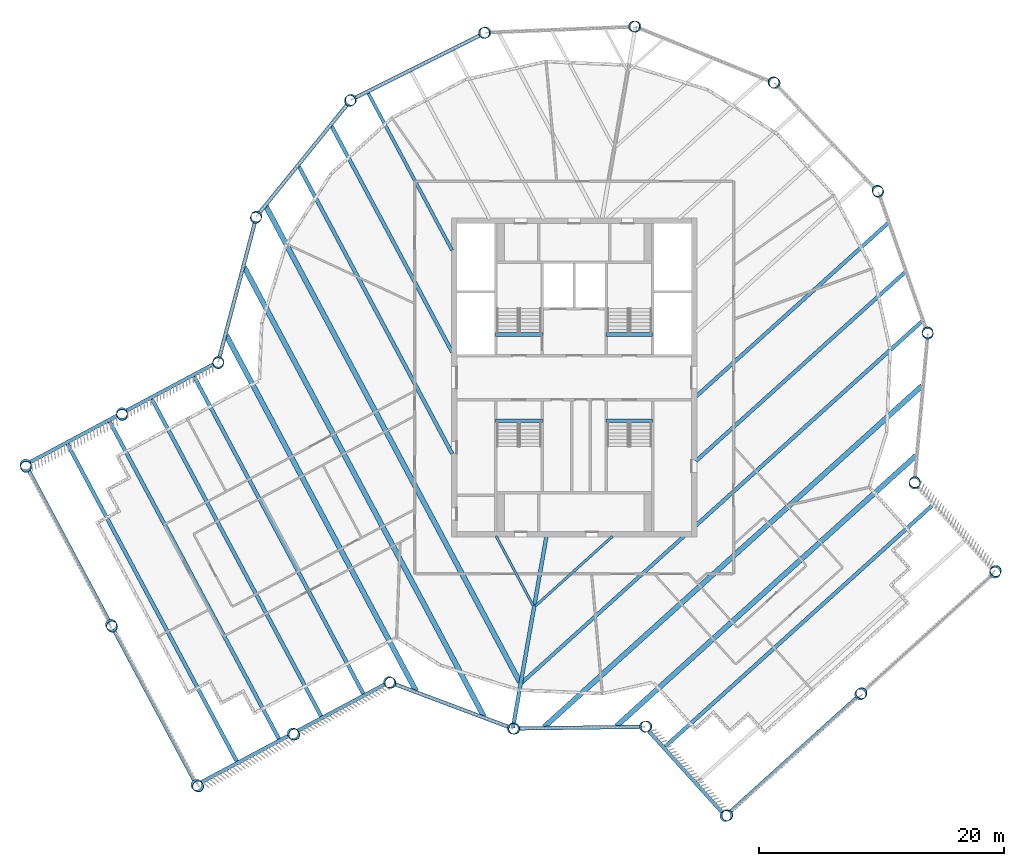
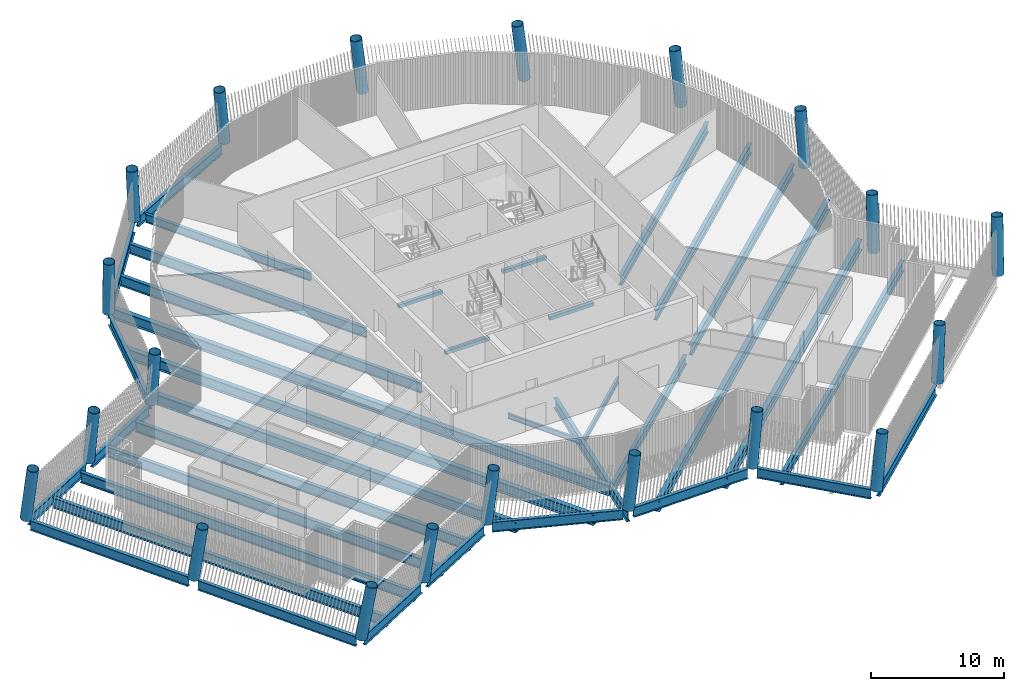
# One storey, part 1 of 21: 37 beams, 20 columns.
"""IFC4 building model written with IfcOpenShell, lengths in metres."""

from ifc_helpers import new_model, si_unit, direction, frame, origin, origin_2d, place, context, subcontext, project, spatial, rectangle, hollow_circle, i_section, extrude, material, material_profile, profile_set, type_object, element, save


model = new_model("IFC4")

# Units and contexts
model_context = context("Model", 3, precision=1e-05, world=origin(), true_north=direction((0.0, 1.0)))
body_context = subcontext(model_context, "Body", "Model", "MODEL_VIEW")
ifc_project = project(units=[si_unit("LENGTHUNIT", "METRE"), si_unit("AREAUNIT", "SQUARE_METRE"), si_unit("VOLUMEUNIT", "CUBIC_METRE"), si_unit("PLANEANGLEUNIT", "RADIAN"), si_unit("MASSUNIT", "GRAM", prefix="KILO")], contexts=[model_context])

# Site, building, storey
site_placement = place(None, origin())
site = spatial("IfcSite", under=ifc_project, at=site_placement, CompositionType="ELEMENT")
building_placement = place(site_placement, origin())
building = spatial("IfcBuilding", under=site, at=building_placement, Name="Tarsis Ring Headquarters", CompositionType="ELEMENT")
storey_placement = place(building_placement, frame((0.0, 0.0, 398.60009765625)))
storey = spatial("IfcBuildingStorey", under=building, at=storey_placement, Name="L94", CompositionType="ELEMENT", Elevation=398.60009765625)

# Columns
ifc_material_1 = material(Name="Structural steel S355", Category="steel")
ifc_material_profile_1 = material_profile(ifc_material_1, hollow_circle(Radius=0.45703125, WallThickness=0.0400390625, at=origin_2d()), Name="CHS 914x40")
ifc_profile_set_1 = profile_set([ifc_material_profile_1], Name="Structural steel S355")
column_type = type_object("IfcColumnType", Name="XC Exo column CHS 914x40", PredefinedType="COLUMN", material=ifc_profile_set_1)
column_1_placement = place(storey_placement, frame((-5.003662109375, -28.6142578125, 0.006591796875), z_axis=(0.103495078697, -0.017126845175, 0.994482498519), x_axis=(0.163264223702, 0.986582380371, 0.0)))
element("IfcColumn", 1, at=column_1_placement, inside=storey, type_object=column_type, Name="Exo column XC8 F1", PredefinedType="COLUMN", context=body_context, shape_type="SweptSolid", body=[
    extrude(hollow_circle(Radius=0.457275390625, WallThickness=0.0400390625, at=origin_2d()), origin(), (0.0, 0.0, 1.0), 4.9892578125),
])
column_2_placement = place(storey_placement, frame((5.76708984375, -28.47021484375, 0.006591796875), z_axis=(0.102599435782, 0.021723485688, 0.994485518219), x_axis=(-0.207138923736, 0.978311538455, 0.0)))
element("IfcColumn", 2, at=column_2_placement, inside=storey, type_object=column_type, Name="Exo column XC8 AK", PredefinedType="COLUMN", context=body_context, shape_type="SweptSolid", body=[
    extrude(hollow_circle(Radius=0.457275390625, WallThickness=0.0400390625, at=origin_2d()), origin(), (0.0, 0.0, 1.0), 4.989990234375),
])
column_3_placement = place(storey_placement, frame((12.338134765625, -35.7470703125, 0.00830078125), z_axis=(0.128165364878, 0.045553632545, 0.990706064283), x_axis=(-0.334903443041, 0.942252452286, 0.0)))
element("IfcColumn", 3, at=column_3_placement, inside=storey, type_object=column_type, Name="Exo column XC8 AT1", PredefinedType="COLUMN", context=body_context, shape_type="SweptSolid", body=[
    extrude(hollow_circle(Radius=0.457275390625, WallThickness=0.0400390625, at=origin_2d()), origin(), (0.0, 0.0, 1.0), 5.000244140625),
])
column_4_placement = place(storey_placement, frame((23.322509765625, -25.828125, 0.0078125), z_axis=(0.092295283757, 0.084811882372, 0.992113161492), x_axis=(-0.676625289343, 0.736327520755, 0.0)))
element("IfcColumn", 4, at=column_4_placement, inside=storey, type_object=column_type, Name="Exo column XC8 AT2", PredefinedType="COLUMN", context=body_context, shape_type="SweptSolid", body=[
    extrude(hollow_circle(Radius=0.457275390625, WallThickness=0.0400390625, at=origin_2d()), origin(), (0.0, 0.0, 1.0), 4.991455078125),
])
column_5_placement = place(storey_placement, frame((34.30712890625, -15.909423828125, 0.00830078125), z_axis=(0.056094348943, 0.123905533174, 0.990707243774), x_axis=(-0.910992350257, 0.412423250767, 0.0)))
element("IfcColumn", 5, at=column_5_placement, inside=storey, type_object=column_type, Name="Exo column XC8 AT3", PredefinedType="COLUMN", context=body_context, shape_type="SweptSolid", body=[
    extrude(hollow_circle(Radius=0.457275390625, WallThickness=0.0400390625, at=origin_2d()), origin(), (0.0, 0.0, 1.0), 5.000732421875),
])
column_6_placement = place(storey_placement, frame((27.736083984375, -8.6328125, 0.006591796875), z_axis=(0.030278180038, 0.100421815213, 0.994484133027), x_axis=(-0.957427467423, 0.288673941712, 0.0)))
element("IfcColumn", 6, at=column_6_placement, inside=storey, type_object=column_type, Name="Exo column XC8 AJ", PredefinedType="COLUMN", context=body_context, shape_type="SweptSolid", body=[
    extrude(hollow_circle(Radius=0.457275390625, WallThickness=0.0400390625, at=origin_2d()), origin(), (0.0, 0.0, 1.0), 4.9912109375),
])
column_7_placement = place(storey_placement, frame((28.82861328125, 3.567138671875, 0.006591796875), z_axis=(-0.013800696534, 0.103994610406, 0.994482107321), x_axis=(-0.991309196733, -0.131552561637, 0.0)))
element("IfcColumn", 7, at=column_7_placement, inside=storey, type_object=column_type, Name="Exo column XC8 R1", PredefinedType="COLUMN", context=body_context, shape_type="SweptSolid", body=[
    extrude(hollow_circle(Radius=0.457275390625, WallThickness=0.0400390625, at=origin_2d()), origin(), (0.0, 0.0, 1.0), 4.98876953125),
])
column_8_placement = place(storey_placement, frame((24.79541015625, 15.133056640625, 0.006591796875), z_axis=(-0.055480245767, 0.08899344537, 0.994485851589), x_axis=(-0.848600562737, -0.529034105632, 0.0)))
element("IfcColumn", 8, at=column_8_placement, inside=storey, type_object=column_type, Name="Exo column XC8 R2", PredefinedType="COLUMN", context=body_context, shape_type="SweptSolid", body=[
    extrude(hollow_circle(Radius=0.457275390625, WallThickness=0.0400390625, at=origin_2d()), origin(), (0.0, 0.0, 1.0), 4.990234375),
])
column_9_placement = place(storey_placement, frame((16.353271484375, 24.008056640625, 0.006591796875), z_axis=(-0.087192050723, 0.058225892458, 0.994488457318), x_axis=(-0.555346197768, -0.831619264221, 0.0)))
element("IfcColumn", 9, at=column_9_placement, inside=storey, type_object=column_type, Name="Exo column XC8 R3", PredefinedType="COLUMN", context=body_context, shape_type="SweptSolid", body=[
    extrude(hollow_circle(Radius=0.457275390625, WallThickness=0.0400390625, at=origin_2d()), origin(), (0.0, 0.0, 1.0), 4.98974609375),
])
column_10_placement = place(storey_placement, frame((5.003662109375, 28.6142578125, 0.006591796875), z_axis=(-0.103495078697, 0.017126845175, 0.994482498519), x_axis=(-0.163264223702, -0.986582380371, 0.0)))
element("IfcColumn", 10, at=column_10_placement, inside=storey, type_object=column_type, Name="Exo column XC8 R4", PredefinedType="COLUMN", context=body_context, shape_type="SweptSolid", body=[
    extrude(hollow_circle(Radius=0.457275390625, WallThickness=0.0400390625, at=origin_2d()), origin(), (0.0, 0.0, 1.0), 4.9892578125),
])
column_11_placement = place(storey_placement, frame((-7.23583984375, 28.1328125, 0.006591796875), z_axis=(-0.10131264806, -0.027003660902, 0.994488084213), x_axis=(0.25754649026, -0.966265908203, 0.0)))
element("IfcColumn", 11, at=column_11_placement, inside=storey, type_object=column_type, Name="Exo column XC8 R5", PredefinedType="COLUMN", context=body_context, shape_type="SweptSolid", body=[
    extrude(hollow_circle(Radius=0.457275390625, WallThickness=0.0400390625, at=origin_2d()), origin(), (0.0, 0.0, 1.0), 4.99072265625),
])
column_12_placement = place(storey_placement, frame((-18.188720703125, 22.649169921875, 0.006591796875), z_axis=(-0.081148888172, -0.066367848227, 0.994489902749), x_axis=(0.633085233982, -0.774082092878, 0.0)))
element("IfcColumn", 12, at=column_12_placement, inside=storey, type_object=column_type, Name="Exo column XC8 R6", PredefinedType="COLUMN", context=body_context, shape_type="SweptSolid", body=[
    extrude(hollow_circle(Radius=0.457275390625, WallThickness=0.0400390625, at=origin_2d()), origin(), (0.0, 0.0, 1.0), 4.98828125),
])
column_13_placement = place(storey_placement, frame((-25.907470703125, 13.138671875, 0.006591796875), z_axis=(-0.046564579025, -0.093960668389, 0.99448636631), x_axis=(0.896007421265, -0.444039076025, 0.0)))
element("IfcColumn", 13, at=column_13_placement, inside=storey, type_object=column_type, Name="Exo column XC8 R7", PredefinedType="COLUMN", context=body_context, shape_type="SweptSolid", body=[
    extrude(hollow_circle(Radius=0.457275390625, WallThickness=0.0400390625, at=origin_2d()), origin(), (0.0, 0.0, 1.0), 4.991455078125),
])
column_14_placement = place(storey_placement, frame((-29.019775390625, 1.291748046875, 0.006591796875), z_axis=(-0.003720447542, -0.104808923516, 0.994485418607), x_axis=(0.999370560982, -0.035475087639, 0.0)))
element("IfcColumn", 14, at=column_14_placement, inside=storey, type_object=column_type, Name="Exo column XC8 BJ", PredefinedType="COLUMN", context=body_context, shape_type="SweptSolid", body=[
    extrude(hollow_circle(Radius=0.457275390625, WallThickness=0.0400390625, at=origin_2d()), origin(), (0.0, 0.0, 1.0), 4.9873046875),
])
column_15_placement = place(storey_placement, frame((-36.8740234375, -2.89892578125, 0.008056640625), z_axis=(0.011632979606, -0.132606191896, 0.991100535595), x_axis=(0.996174163169, 0.087390140374, 0.0)))
element("IfcColumn", 15, at=column_15_placement, inside=storey, type_object=column_type, Name="Exo column XC8 BO1", PredefinedType="COLUMN", context=body_context, shape_type="SweptSolid", body=[
    extrude(hollow_circle(Radius=0.457275390625, WallThickness=0.0400390625, at=origin_2d()), origin(), (0.0, 0.0, 1.0), 4.994873046875),
])
column_16_placement = place(storey_placement, frame((-44.728271484375, -7.08984375, 0.009765625), z_axis=(0.02686133297, -0.159997994204, 0.986751797891), x_axis=(0.986198320094, 0.165568334665, 0.0)))
element("IfcColumn", 16, at=column_16_placement, inside=storey, type_object=column_type, Name="Exo column XC8 BT3", PredefinedType="COLUMN", context=body_context, shape_type="SweptSolid", body=[
    extrude(hollow_circle(Radius=0.457275390625, WallThickness=0.0400390625, at=origin_2d()), origin(), (0.0, 0.0, 1.0), 5.008056640625),
])
column_17_placement = place(storey_placement, frame((-37.761474609375, -20.1474609375, 0.00927734375), z_axis=(0.073535305639, -0.134782218027, 0.988142860384), x_axis=(0.877847018049, 0.478941137199, 0.0)))
element("IfcColumn", 17, at=column_17_placement, inside=storey, type_object=column_type, Name="Exo column XC8 BT2", PredefinedType="COLUMN", context=body_context, shape_type="SweptSolid", body=[
    extrude(hollow_circle(Radius=0.457275390625, WallThickness=0.0400390625, at=origin_2d()), origin(), (0.0, 0.0, 1.0), 5.006591796875),
])
column_18_placement = place(storey_placement, frame((-30.79443359375, -33.205078125, 0.009765625), z_axis=(0.119941632984, -0.109259559937, 0.986750400679), x_axis=(0.673420634813, 0.739259527235, 0.0)))
element("IfcColumn", 18, at=column_18_placement, inside=storey, type_object=column_type, Name="Exo column XC8 BT1", PredefinedType="COLUMN", context=body_context, shape_type="SweptSolid", body=[
    extrude(hollow_circle(Radius=0.457275390625, WallThickness=0.0400390625, at=origin_2d()), origin(), (0.0, 0.0, 1.0), 5.00537109375),
])
column_19_placement = place(storey_placement, frame((-22.9404296875, -29.014404296875, 0.008056640625), z_axis=(0.105122025672, -0.081566090584, 0.991108638135), x_axis=(0.613024774436, 0.790063684729, 0.0)))
element("IfcColumn", 19, at=column_19_placement, inside=storey, type_object=column_type, Name="Exo column XC8 BI1", PredefinedType="COLUMN", context=body_context, shape_type="SweptSolid", body=[
    extrude(hollow_circle(Radius=0.457275390625, WallThickness=0.0400390625, at=origin_2d()), origin(), (0.0, 0.0, 1.0), 4.99560546875),
])
column_20_placement = place(storey_placement, frame((-15.08642578125, -24.82373046875, 0.006591796875), z_axis=(0.09011414303, -0.053667326223, 0.994484418843), x_axis=(0.511680651635, 0.859175715871, 0.0)))
element("IfcColumn", 20, at=column_20_placement, inside=storey, type_object=column_type, Name="Exo column XC8 BK", PredefinedType="COLUMN", context=body_context, shape_type="SweptSolid", body=[
    extrude(hollow_circle(Radius=0.457275390625, WallThickness=0.0400390625, at=origin_2d()), origin(), (0.0, 0.0, 1.0), 4.990478515625),
])

# Beams
ifc_material_profile_2 = material_profile(ifc_material_1, i_section(OverallWidth=0.1904296875, OverallDepth=0.457275390625, WebThickness=0.009033203125, FlangeThickness=0.014404296875, at=origin_2d()), Name="W18x50")
ifc_profile_set_2 = profile_set([ifc_material_profile_2], Name="Structural steel S355")
beam_type_1 = type_object("IfcBeamType", Name="FB Floor beam W18x50", PredefinedType="JOIST", material=ifc_profile_set_2)
beam_1_placement = place(storey_placement, frame((-6.37255859375, -12.911865234375, -0.52880859375), z_axis=(0.470730094515, -0.882277268277, 0.0), x_axis=(0.882277268277, 0.470730094515, 0.0)))
element("IfcBeam", 21, at=beam_1_placement, inside=storey, type_object=beam_type_1, Name="Floor beam FB2", PredefinedType="JOIST", context=body_context, shape_type="SweptSolid", body=[
    extrude(i_section(OverallWidth=0.1904296875, OverallDepth=0.457275390625, WebThickness=0.009033203125, FlangeThickness=0.014404296875, at=origin_2d()), origin(), (0.0, 0.0, 1.0), 6.43115234375),
])
ifc_material_profile_3 = material_profile(ifc_material_1, i_section(OverallWidth=0.209228515625, OverallDepth=0.533447265625, WebThickness=0.01025390625, FlangeThickness=0.015625, at=origin_2d()), Name="W21x62")
ifc_profile_set_3 = profile_set([ifc_material_profile_3], Name="Structural steel S355")
beam_type_2 = type_object("IfcBeamType", Name="FB Floor beam W21x62", PredefinedType="JOIST", material=ifc_profile_set_3)
beam_2_placement = place(storey_placement, frame((-3.161376953125, -18.6181640625, -0.56689453125), z_axis=(0.742205611022, 0.670172239777, 0.0), x_axis=(-0.670172239777, 0.742205611022, 0.0)))
element("IfcBeam", 22, at=beam_2_placement, inside=storey, type_object=beam_type_2, Name="Floor beam FB3", PredefinedType="JOIST", context=body_context, shape_type="SweptSolid", body=[
    extrude(i_section(OverallWidth=0.209228515625, OverallDepth=0.533447265625, WebThickness=0.01025390625, FlangeThickness=0.015625, at=origin_2d()), origin(), (0.0, 0.0, 1.0), 8.4833984375),
])
ifc_material_profile_4 = material_profile(ifc_material_1, i_section(OverallWidth=0.2666015625, OverallDepth=0.7568359375, WebThickness=0.013916015625, FlangeThickness=0.019287109375, at=origin_2d()), Name="W30x108")
ifc_profile_set_4 = profile_set([ifc_material_profile_4], Name="Structural steel S355")
beam_type_3 = type_object("IfcBeamType", Name="FB Floor beam W30x108", PredefinedType="JOIST", material=ifc_profile_set_4)
beam_3_placement = place(storey_placement, frame((-16.834228515625, 23.268798828125, -0.678466796875), z_axis=(0.470704379557, -0.882290987751, 0.0), x_axis=(0.882290987751, 0.470704379557, 0.0)))
element("IfcBeam", 23, at=beam_3_placement, inside=storey, type_object=beam_type_3, Name="Floor beam FB6", PredefinedType="JOIST", context=body_context, shape_type="SweptSolid", body=[
    extrude(i_section(OverallWidth=0.2666015625, OverallDepth=0.7568359375, WebThickness=0.013916015625, FlangeThickness=0.019287109375, at=origin_2d()), origin(), (0.0, 0.0, 1.0), 14.619140625),
])
ifc_material_profile_5 = material_profile(ifc_material_1, i_section(OverallWidth=0.2919921875, OverallDepth=0.835693359375, WebThickness=0.013916015625, FlangeThickness=0.018798828125, at=origin_2d()), Name="W33x118")
ifc_profile_set_5 = profile_set([ifc_material_profile_5], Name="Structural steel S355")
beam_type_4 = type_object("IfcBeamType", Name="FB Floor beam W33x118", PredefinedType="JOIST", material=ifc_profile_set_5)
beam_4_placement = place(storey_placement, frame((-4.252685546875, -24.858154296875, -0.718017578125), z_axis=(0.742210506101, 0.670166818511, 0.0), x_axis=(-0.670166818511, 0.742210506101, 0.0)))
element("IfcBeam", 24, at=beam_4_placement, inside=storey, type_object=beam_type_4, Name="Floor beam FB7", PredefinedType="JOIST", context=body_context, shape_type="SweptSolid", body=[
    extrude(i_section(OverallWidth=0.2919921875, OverallDepth=0.835693359375, WebThickness=0.013916015625, FlangeThickness=0.018798828125, at=origin_2d()), origin(), (0.0, 0.0, 1.0), 17.79443359375),
])
ifc_material_profile_6 = material_profile(ifc_material_1, i_section(OverallWidth=0.3046875, OverallDepth=0.904296875, WebThickness=0.01513671875, FlangeThickness=0.02001953125, at=origin_2d()), Name="W36x135")
ifc_profile_set_6 = profile_set([ifc_material_profile_6], Name="Structural steel S355")
beam_type_5 = type_object("IfcBeamType", Name="FB Floor beam W36x135", PredefinedType="JOIST", material=ifc_profile_set_6)
beam_5_placement = place(storey_placement, frame((9.92578125, -1.546875, -0.752197265625), z_axis=(0.742212009249, 0.67016515377, 0.0), x_axis=(-0.67016515377, 0.742212009249, 0.0)))
element("IfcBeam", 25, at=beam_5_placement, inside=storey, type_object=beam_type_5, Name="Floor beam FB8", PredefinedType="JOIST", context=body_context, shape_type="SweptSolid", body=[
    extrude(i_section(OverallWidth=0.3046875, OverallDepth=0.904296875, WebThickness=0.01513671875, FlangeThickness=0.02001953125, at=origin_2d()), origin(), (0.0, 0.0, 1.0), 21.131591796875),
])
beam_6_placement = place(storey_placement, frame((-19.808349609375, 20.557861328125, -0.752197265625), z_axis=(0.470709273658, -0.882288376718, 0.0), x_axis=(0.882288376718, 0.470709273658, 0.0)))
element("IfcBeam", 26, at=beam_6_placement, inside=storey, type_object=beam_type_5, Name="Floor beam FB8", PredefinedType="JOIST", context=body_context, shape_type="SweptSolid", body=[
    extrude(i_section(OverallWidth=0.3046875, OverallDepth=0.904296875, WebThickness=0.01513671875, FlangeThickness=0.02001953125, at=origin_2d()), origin(), (0.0, 0.0, 1.0), 20.9375),
])
ifc_material_profile_7 = material_profile(ifc_material_1, i_section(OverallWidth=0.3046875, OverallDepth=0.91943359375, WebThickness=0.017333984375, FlangeThickness=0.02783203125, at=origin_2d()), Name="W36x170")
ifc_profile_set_7 = profile_set([ifc_material_profile_7], Name="Structural steel S355")
beam_type_6 = type_object("IfcBeamType", Name="FB Floor beam W36x170", PredefinedType="JOIST", material=ifc_profile_set_7)
beam_7_placement = place(storey_placement, frame((9.92578125, -6.801513671875, -0.759765625), z_axis=(0.742211596833, 0.670165610522, 0.0), x_axis=(-0.670165610522, 0.742211596833, 0.0)))
element("IfcBeam", 27, at=beam_7_placement, inside=storey, type_object=beam_type_6, Name="Floor beam FB9", PredefinedType="JOIST", context=body_context, shape_type="SweptSolid", body=[
    extrude(i_section(OverallWidth=0.3046875, OverallDepth=0.91943359375, WebThickness=0.017333984375, FlangeThickness=0.02783203125, at=origin_2d()), origin(), (0.0, 0.0, 1.0), 23.009033203125),
])
ifc_material_profile_8 = material_profile(ifc_material_1, i_section(OverallWidth=0.309814453125, OverallDepth=0.93212890625, WebThickness=0.02099609375, FlangeThickness=0.034423828125, at=origin_2d()), Name="W36x210")
ifc_profile_set_8 = profile_set([ifc_material_profile_8], Name="Structural steel S355")
beam_type_7 = type_object("IfcBeamType", Name="FB Floor beam W36x210", PredefinedType="JOIST", material=ifc_profile_set_8)
beam_8_placement = place(storey_placement, frame((9.92578125, -12.055908203125, -0.76611328125), z_axis=(0.742211720307, 0.670165473774, 0.0), x_axis=(-0.670165473774, 0.742211720307, 0.0)))
element("IfcBeam", 28, at=beam_8_placement, inside=storey, type_object=beam_type_7, Name="Floor beam FB10", PredefinedType="JOIST", context=body_context, shape_type="SweptSolid", body=[
    extrude(i_section(OverallWidth=0.309814453125, OverallDepth=0.93212890625, WebThickness=0.02099609375, FlangeThickness=0.034423828125, at=origin_2d()), origin(), (0.0, 0.0, 1.0), 24.886474609375),
])
beam_9_placement = place(storey_placement, frame((-22.475341796875, 17.271728515625, -0.76611328125), z_axis=(0.470704451491, -0.882290949373, 0.0), x_axis=(0.882290949373, 0.470704451491, 0.0)))
element("IfcBeam", 29, at=beam_9_placement, inside=storey, type_object=beam_type_7, Name="Floor beam FB10", PredefinedType="JOIST", context=body_context, shape_type="SweptSolid", body=[
    extrude(i_section(OverallWidth=0.309814453125, OverallDepth=0.93212890625, WebThickness=0.02099609375, FlangeThickness=0.034423828125, at=origin_2d()), origin(), (0.0, 0.0, 1.0), 26.603759765625),
])
ifc_material_profile_9 = material_profile(ifc_material_1, i_section(OverallWidth=0.309814453125, OverallDepth=0.949951171875, WebThickness=0.0244140625, FlangeThickness=0.0439453125, at=origin_2d()), Name="W36x256")
ifc_profile_set_9 = profile_set([ifc_material_profile_9], Name="Structural steel S355")
beam_type_8 = type_object("IfcBeamType", Name="FB Floor beam W36x256", PredefinedType="JOIST", material=ifc_profile_set_9)
beam_10_placement = place(storey_placement, frame((7.349853515625, -30.145751953125, -0.775146484375), z_axis=(0.74220742551, 0.670170230254, 0.0), x_axis=(-0.670170230254, 0.74220742551, 0.0)))
element("IfcBeam", 30, at=beam_10_placement, inside=storey, type_object=beam_type_8, Name="Floor beam FB11", PredefinedType="JOIST", context=body_context, shape_type="SweptSolid", body=[
    extrude(i_section(OverallWidth=0.309814453125, OverallDepth=0.949951171875, WebThickness=0.0244140625, FlangeThickness=0.0439453125, at=origin_2d()), origin(), (0.0, 0.0, 1.0), 29.495361328125),
])
beam_11_placement = place(storey_placement, frame((-31.0283203125, 0.161376953125, -0.775146484375), z_axis=(0.470707235612, -0.882289464032, 0.0), x_axis=(0.882289464032, 0.470707235612, 0.0)))
element("IfcBeam", 31, at=beam_11_placement, inside=storey, type_object=beam_type_8, Name="Floor beam FB11", PredefinedType="JOIST", context=body_context, shape_type="SweptSolid", body=[
    extrude(i_section(OverallWidth=0.309814453125, OverallDepth=0.949951171875, WebThickness=0.0244140625, FlangeThickness=0.0439453125, at=origin_2d()), origin(), (0.0, 0.0, 1.0), 29.4951171875),
])
for number, where, z_axis, x_axis, name in (
    (32, (-34.46923828125, -1.67431640625, -0.775146484375), (0.470703798056, -0.882291297983, 0.0), (0.882291297983, 0.470703798056, 0.0), "Floor beam FB11"),
    (33, (-37.91015625, -3.510009765625, -0.775146484375), (0.470703798056, -0.882291297983, 0.0), (0.882291297983, 0.470703798056, 0.0), "Floor beam FB11"),
    (34, (-41.35107421875, -5.345703125, -0.775146484375), (0.470703798056, -0.882291297983, 0.0), (0.882291297983, 0.470703798056, 0.0), "Floor beam FB11"),
):
    element("IfcBeam", number, at=place(storey_placement, frame(where, z_axis=z_axis, x_axis=x_axis)), inside=storey, type_object=beam_type_8, Name=name, PredefinedType="JOIST", context=body_context, shape_type="SweptSolid", body=[
        extrude(i_section(OverallWidth=0.309814453125, OverallDepth=0.949951171875, WebThickness=0.0244140625, FlangeThickness=0.0439453125, at=origin_2d()), origin(), (0.0, 0.0, 1.0), 29.495361328125),
    ])
beam_type_9 = type_object("IfcBeamType", Name="FB Floor beam W36x256 spine", PredefinedType="BEAM", material=ifc_profile_set_9)
beam_12_placement = place(storey_placement, frame((-2.25634765625, -12.901611328125, -0.775146484375), z_axis=(-0.172276388431, -0.985048651585, 0.0), x_axis=(0.985048651585, -0.172276388431, 0.0)))
element("IfcBeam", 35, at=beam_12_placement, inside=storey, type_object=beam_type_9, Name="Floor beam SB11", PredefinedType="BEAM", context=body_context, shape_type="SweptSolid", body=[
    extrude(i_section(OverallWidth=0.309814453125, OverallDepth=0.949951171875, WebThickness=0.0244140625, FlangeThickness=0.0439453125, at=origin_2d()), origin(), (0.0, 0.0, 1.0), 15.89599609375),
])
ifc_material_profile_10 = material_profile(ifc_material_1, i_section(OverallWidth=0.42431640625, OverallDepth=0.947509765625, WebThickness=0.02392578125, FlangeThickness=0.042724609375, at=origin_2d()), Name="W36x302")
ifc_profile_set_10 = profile_set([ifc_material_profile_10], Name="Structural steel S355")
beam_type_10 = type_object("IfcBeamType", Name="FB Floor beam W36x302", PredefinedType="JOIST", material=ifc_profile_set_10)
beam_13_placement = place(storey_placement, frame((-2.459716796875, -28.493896484375, -0.773681640625), z_axis=(0.742209031922, 0.670168451162, 0.0), x_axis=(-0.670168451162, 0.742209031922, 0.0)))
element("IfcBeam", 36, at=beam_13_placement, inside=storey, type_object=beam_type_10, Name="Floor beam FB12", PredefinedType="JOIST", context=body_context, shape_type="SweptSolid", body=[
    extrude(i_section(OverallWidth=0.42431640625, OverallDepth=0.947509765625, WebThickness=0.02392578125, FlangeThickness=0.042724609375, at=origin_2d()), origin(), (0.0, 0.0, 1.0), 41.53125),
])
beam_14_placement = place(storey_placement, frame((3.447021484375, -28.4150390625, -0.773681640625), z_axis=(0.742208900066, 0.670168597193, 0.0), x_axis=(-0.670168597193, 0.742208900066, 0.0)))
element("IfcBeam", 37, at=beam_14_placement, inside=storey, type_object=beam_type_10, Name="Floor beam FB12", PredefinedType="JOIST", context=body_context, shape_type="SweptSolid", body=[
    extrude(i_section(OverallWidth=0.42431640625, OverallDepth=0.947509765625, WebThickness=0.02392578125, FlangeThickness=0.042724609375, at=origin_2d()), origin(), (0.0, 0.0, 1.0), 32.8828125),
])
beam_15_placement = place(storey_placement, frame((-25.142578125, 13.985595703125, -0.773681640625), z_axis=(0.470704607871, -0.882290865944, 0.0), x_axis=(0.882290865944, 0.470704607871, 0.0)))
element("IfcBeam", 38, at=beam_15_placement, inside=storey, type_object=beam_type_10, Name="Floor beam FB12", PredefinedType="JOIST", context=body_context, shape_type="SweptSolid", body=[
    extrude(i_section(OverallWidth=0.42431640625, OverallDepth=0.947509765625, WebThickness=0.02392578125, FlangeThickness=0.042724609375, at=origin_2d()), origin(), (0.0, 0.0, 1.0), 43.989501953125),
])
beam_16_placement = place(storey_placement, frame((-26.906005859375, 9.00537109375, -0.773681640625), z_axis=(0.470705088235, -0.882290609669, 0.0), x_axis=(0.882290609669, 0.470705088235, 0.0)))
element("IfcBeam", 39, at=beam_16_placement, inside=storey, type_object=beam_type_10, Name="Floor beam FB12", PredefinedType="JOIST", context=body_context, shape_type="SweptSolid", body=[
    extrude(i_section(OverallWidth=0.42431640625, OverallDepth=0.947509765625, WebThickness=0.02392578125, FlangeThickness=0.042724609375, at=origin_2d()), origin(), (0.0, 0.0, 1.0), 41.531494140625),
])
beam_17_placement = place(storey_placement, frame((-28.364501953125, 3.453857421875, -0.773681640625), z_axis=(0.470703068127, -0.8822916874, 0.0), x_axis=(0.8822916874, 0.470703068127, 0.0)))
element("IfcBeam", 40, at=beam_17_placement, inside=storey, type_object=beam_type_10, Name="Floor beam FB12", PredefinedType="JOIST", context=body_context, shape_type="SweptSolid", body=[
    extrude(i_section(OverallWidth=0.42431640625, OverallDepth=0.947509765625, WebThickness=0.02392578125, FlangeThickness=0.042724609375, at=origin_2d()), origin(), (0.0, 0.0, 1.0), 32.8828125),
])
ifc_material_2 = material(Name="Concrete C40/50", Category="concrete")
ifc_material_profile_11 = material_profile(ifc_material_2, rectangle(XDim=0.300048828125, YDim=0.300048828125, at=origin_2d()), Name="Stair head beam 300x300 C40/50")
ifc_profile_set_11 = profile_set([ifc_material_profile_11], Name="Concrete C40/50")
beam_type_11 = type_object("IfcBeamType", Name="Stair head beam 300x300 C40/50", PredefinedType="BEAM", material=ifc_profile_set_11)
for number, where, z_axis, x_axis, name in (
    (41, (-6.39990234375, 3.510009765625, -0.4501953125), (1.0, 0.0, 0.0), (0.0, 1.0, 0.0), "Stair head beam L94 Firefighting stair"),
    (42, (2.60009765625, 3.510009765625, -0.4501953125), (1.0, 0.0, 0.0), (0.0, 1.0, 0.0), "Stair head beam L94 Exit stair B"),
    (43, (-6.39990234375, -3.510009765625, -0.4501953125), (1.0, 0.0, 0.0), (0.0, 1.0, 0.0), "Stair head beam L94 Exit stair C"),
    (44, (2.60009765625, -3.510009765625, -0.4501953125), (1.0, 0.0, 0.0), (0.0, 1.0, 0.0), "Stair head beam L94 Exit stair D"),
):
    element("IfcBeam", number, at=place(storey_placement, frame(where, z_axis=z_axis, x_axis=x_axis)), inside=storey, type_object=beam_type_11, Name=name, PredefinedType="BEAM", context=body_context, shape_type="SweptSolid", body=[
        extrude(rectangle(XDim=0.300048828125, YDim=0.300048828125, at=origin_2d()), origin(), (0.0, 0.0, 1.0), 3.7998046875),
    ])
beam_type_12 = type_object("IfcBeamType", Name="XG Ring girder W36x135", PredefinedType="BEAM", material=ifc_profile_set_6)
beam_18_placement = place(storey_placement, frame((-4.5927734375, -28.608642578125, -0.4521484375), z_axis=(0.999910887262, 0.013349814035, 0.0), x_axis=(-0.013349814035, 0.999910887262, 0.0)))
element("IfcBeam", 45, at=beam_18_placement, inside=storey, type_object=beam_type_12, Name="Ring girder XG5", PredefinedType="BEAM", context=body_context, shape_type="SweptSolid", body=[
    extrude(i_section(OverallWidth=0.3046875, OverallDepth=0.904296875, WebThickness=0.01513671875, FlangeThickness=0.02001953125, at=origin_2d()), origin(), (0.0, 0.0, 1.0), 9.94873046875),
])
beam_19_placement = place(storey_placement, frame((6.042236328125, -28.77587890625, -0.4521484375), z_axis=(0.670171317745, -0.742206443567, 0.0), x_axis=(0.742206443567, 0.670171317745, 0.0)))
element("IfcBeam", 46, at=beam_19_placement, inside=storey, type_object=beam_type_12, Name="Ring girder XG5", PredefinedType="BEAM", context=body_context, shape_type="SweptSolid", body=[
    extrude(i_section(OverallWidth=0.3046875, OverallDepth=0.904296875, WebThickness=0.01513671875, FlangeThickness=0.02001953125, at=origin_2d()), origin(), (0.0, 0.0, 1.0), 8.9814453125),
])
beam_20_placement = place(storey_placement, frame((12.642578125, -35.4716796875, -0.4521484375), z_axis=(0.742206617309, 0.670171125328, 0.0), x_axis=(-0.670171125328, 0.742206617309, 0.0)))
element("IfcBeam", 47, at=beam_20_placement, inside=storey, type_object=beam_type_12, Name="Ring girder XG5", PredefinedType="BEAM", context=body_context, shape_type="SweptSolid", body=[
    extrude(i_section(OverallWidth=0.3046875, OverallDepth=0.904296875, WebThickness=0.01513671875, FlangeThickness=0.02001953125, at=origin_2d()), origin(), (0.0, 0.0, 1.0), 13.97705078125),
])
beam_21_placement = place(storey_placement, frame((-7.60302734375, 27.948974609375, -0.4521484375), z_axis=(-0.894200582798, -0.447666525131, 0.0), x_axis=(0.447666525131, -0.894200582798, 0.0)))
element("IfcBeam", 48, at=beam_21_placement, inside=storey, type_object=beam_type_12, Name="Ring girder XG5", PredefinedType="BEAM", context=body_context, shape_type="SweptSolid", body=[
    extrude(i_section(OverallWidth=0.3046875, OverallDepth=0.904296875, WebThickness=0.01513671875, FlangeThickness=0.02001953125, at=origin_2d()), origin(), (0.0, 0.0, 1.0), 11.42578125),
])
beam_22_placement = place(storey_placement, frame((-18.447265625, 22.330322265625, -0.4521484375), z_axis=(-0.630185504054, -0.776444608765, 0.0), x_axis=(0.776444608765, -0.630185504054, 0.0)))
element("IfcBeam", 49, at=beam_22_placement, inside=storey, type_object=beam_type_12, Name="Ring girder XG5", PredefinedType="BEAM", context=body_context, shape_type="SweptSolid", body=[
    extrude(i_section(OverallWidth=0.3046875, OverallDepth=0.904296875, WebThickness=0.01513671875, FlangeThickness=0.02001953125, at=origin_2d()), origin(), (0.0, 0.0, 1.0), 11.426025390625),
])
beam_23_placement = place(storey_placement, frame((-26.01171875, 12.7412109375, -0.4521484375), z_axis=(-0.254122008811, -0.967172169077, 0.0), x_axis=(0.967172169077, -0.254122008811, 0.0)))
element("IfcBeam", 50, at=beam_23_placement, inside=storey, type_object=beam_type_12, Name="Ring girder XG5", PredefinedType="BEAM", context=body_context, shape_type="SweptSolid", body=[
    extrude(i_section(OverallWidth=0.3046875, OverallDepth=0.904296875, WebThickness=0.01513671875, FlangeThickness=0.02001953125, at=origin_2d()), origin(), (0.0, 0.0, 1.0), 11.42578125),
])
beam_24_placement = place(storey_placement, frame((-29.3828125, 1.0986328125, -0.4521484375), z_axis=(-0.882299398979, -0.470688613162, 0.0), x_axis=(0.470688613162, -0.882299398979, 0.0)))
element("IfcBeam", 51, at=beam_24_placement, inside=storey, type_object=beam_type_12, Name="Ring girder XG5", PredefinedType="BEAM", context=body_context, shape_type="SweptSolid", body=[
    extrude(i_section(OverallWidth=0.3046875, OverallDepth=0.904296875, WebThickness=0.01513671875, FlangeThickness=0.02001953125, at=origin_2d()), origin(), (0.0, 0.0, 1.0), 8.0791015625),
])
beam_25_placement = place(storey_placement, frame((-37.237060546875, -3.091552734375, -0.4521484375), z_axis=(-0.882293544537, -0.47069958707, 0.0), x_axis=(0.47069958707, -0.882293544537, 0.0)))
element("IfcBeam", 52, at=beam_25_placement, inside=storey, type_object=beam_type_12, Name="Ring girder XG5", PredefinedType="BEAM", context=body_context, shape_type="SweptSolid", body=[
    extrude(i_section(OverallWidth=0.3046875, OverallDepth=0.904296875, WebThickness=0.01513671875, FlangeThickness=0.02001953125, at=origin_2d()), origin(), (0.0, 0.0, 1.0), 8.079345703125),
])
beam_26_placement = place(storey_placement, frame((-44.534912109375, -7.451171875, -0.4521484375), z_axis=(0.470700648829, -0.882292978093, 0.0), x_axis=(0.882292978093, 0.470700648829, 0.0)))
element("IfcBeam", 53, at=beam_26_placement, inside=storey, type_object=beam_type_12, Name="Ring girder XG5", PredefinedType="BEAM", context=body_context, shape_type="SweptSolid", body=[
    extrude(i_section(OverallWidth=0.3046875, OverallDepth=0.904296875, WebThickness=0.01513671875, FlangeThickness=0.02001953125, at=origin_2d()), origin(), (0.0, 0.0, 1.0), 13.977294921875),
])
beam_27_placement = place(storey_placement, frame((-37.568359375, -20.50927734375, -0.4521484375), z_axis=(0.470707902897, -0.882289108031, 0.0), x_axis=(0.882289108031, 0.470707902897, 0.0)))
element("IfcBeam", 54, at=beam_27_placement, inside=storey, type_object=beam_type_12, Name="Ring girder XG5", PredefinedType="BEAM", context=body_context, shape_type="SweptSolid", body=[
    extrude(i_section(OverallWidth=0.3046875, OverallDepth=0.904296875, WebThickness=0.01513671875, FlangeThickness=0.02001953125, at=origin_2d()), origin(), (0.0, 0.0, 1.0), 13.97705078125),
])
for number, where, z_axis, x_axis, name in (
    (55, (-30.4326171875, -33.01025390625, -0.4521484375), (0.882299398979, 0.470688613162, 0.0), (-0.470688613162, 0.882299398979, 0.0), "Ring girder XG5"),
    (56, (-22.578125, -28.820068359375, -0.4521484375), (0.882286849315, 0.470712136582, 0.0), (-0.470712136582, 0.882286849315, 0.0), "Ring girder XG5"),
):
    element("IfcBeam", number, at=place(storey_placement, frame(where, z_axis=z_axis, x_axis=x_axis)), inside=storey, type_object=beam_type_12, Name=name, PredefinedType="BEAM", context=body_context, shape_type="SweptSolid", body=[
        extrude(i_section(OverallWidth=0.3046875, OverallDepth=0.904296875, WebThickness=0.01513671875, FlangeThickness=0.02001953125, at=origin_2d()), origin(), (0.0, 0.0, 1.0), 8.0791015625),
    ])
beam_28_placement = place(storey_placement, frame((-14.70166015625, -24.96826171875, -0.4521484375), z_axis=(0.936027293462, -0.351927415661, 0.0), x_axis=(0.351927415661, 0.936027293462, 0.0)))
element("IfcBeam", 57, at=beam_28_placement, inside=storey, type_object=beam_type_12, Name="Ring girder XG5", PredefinedType="BEAM", context=body_context, shape_type="SweptSolid", body=[
    extrude(i_section(OverallWidth=0.3046875, OverallDepth=0.904296875, WebThickness=0.01513671875, FlangeThickness=0.02001953125, at=origin_2d()), origin(), (0.0, 0.0, 1.0), 9.94873046875),
])

save(model, "model.ifc")
